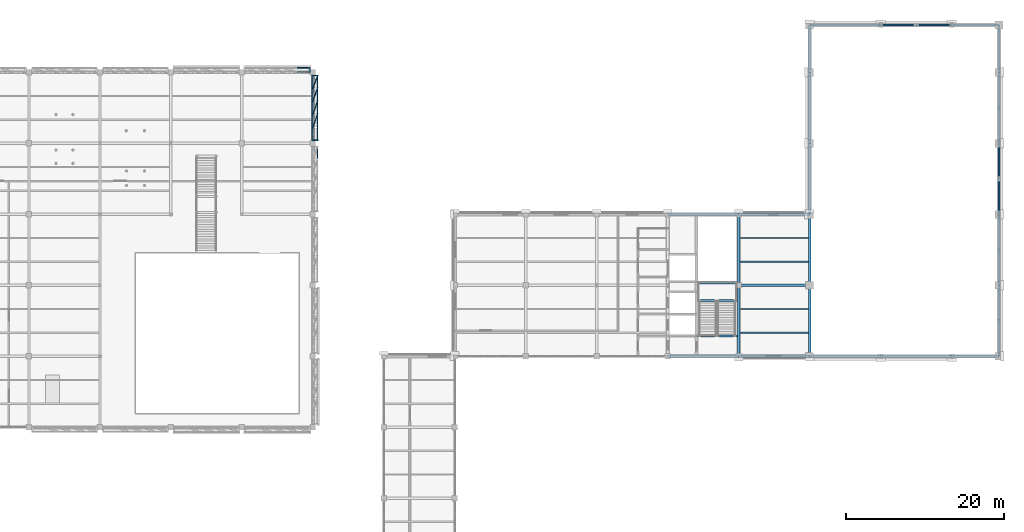
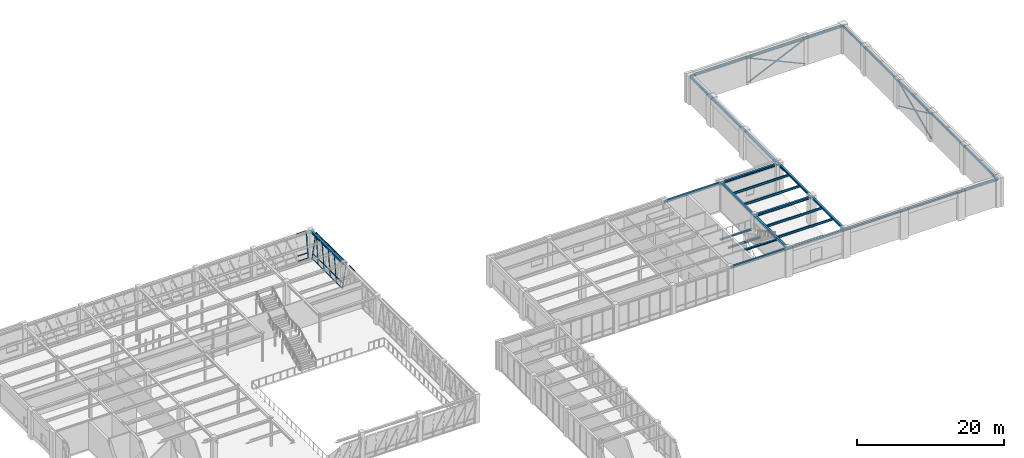
# One storey, part 66 of 92: 32 members, 31 beams, 3 elements without a shape of their own.
"""IFC4 building model written with IfcOpenShell, lengths in metres."""

from ifc_helpers import new_model, si_unit, direction, frame, origin, origin_2d, place, context, subcontext, project, spatial, hollow_rectangle, hollow_circle, i_section, extrude, material, material_profile, profile_set, type_object, element, aggregate, save


model = new_model("IFC4")

# Units and contexts
model_context = context("Model", 3, precision=1e-05, world=origin(), true_north=direction((0.0, 1.0)))
body_context = subcontext(model_context, "Body", "Model", "MODEL_VIEW")
ifc_project = project(units=[si_unit("LENGTHUNIT", "METRE"), si_unit("AREAUNIT", "SQUARE_METRE"), si_unit("VOLUMEUNIT", "CUBIC_METRE"), si_unit("PLANEANGLEUNIT", "RADIAN"), si_unit("MASSUNIT", "GRAM", prefix="KILO")], contexts=[model_context])

# Site, building, storey
site_placement = place(None, origin())
site = spatial("IfcSite", under=ifc_project, at=site_placement, CompositionType="ELEMENT")
building_placement = place(site_placement, origin())
building = spatial("IfcBuilding", under=site, at=building_placement, Name="Lykobir Media Centre", CompositionType="ELEMENT")
storey_placement = place(building_placement, frame((0.0, 0.0, 5.39990234375)))
storey = spatial("IfcBuildingStorey", under=building, at=storey_placement, Name="L01", CompositionType="ELEMENT", Elevation=5.39990234375)

# Beams
ifc_material_1 = material(Name="Steel S355", Category="steel")
ifc_material_profile_1 = material_profile(ifc_material_1, i_section(OverallWidth=0.300048828125, OverallDepth=0.35009765625, WebThickness=0.010009765625, FlangeThickness=0.017578125, at=origin_2d()), Name="HEA 360")
ifc_profile_set_1 = profile_set([ifc_material_profile_1], Name="Steel S355")
beam_type_1 = type_object("IfcBeamType", Name="BM-HEA360", PredefinedType="BEAM", material=ifc_profile_set_1)
for number, where, z_axis, x_axis, name in (
    (1, (135.0, 72.0, 4.385009765625), (0.0, 1.0, 0.0), (-1.0, 0.0, 0.0), "Beam BM-L01-1350-0720-1350-0810-978"),
    (2, (135.0, 81.0, 4.385009765625), (0.0, 1.0, 0.0), (-1.0, 0.0, 0.0), "Beam BM-L01-1350-0810-1350-0900-978"),
):
    element("IfcBeam", number, at=place(storey_placement, frame(where, z_axis=z_axis, x_axis=x_axis)), inside=storey, type_object=beam_type_1, Name=name, PredefinedType="BEAM", context=body_context, shape_type="SweptSolid", body=[
        extrude(i_section(OverallWidth=0.300048828125, OverallDepth=0.35009765625, WebThickness=0.010009765625, FlangeThickness=0.017578125, at=origin_2d()), origin(), (0.0, 0.0, 1.0), 9.0),
    ])
ifc_material_profile_2 = material_profile(ifc_material_1, i_section(OverallWidth=0.300048828125, OverallDepth=0.389892578125, WebThickness=0.010986328125, FlangeThickness=0.01904296875, at=origin_2d()), Name="HEA 400")
ifc_profile_set_2 = profile_set([ifc_material_profile_2], Name="Steel S355")
beam_type_2 = type_object("IfcBeamType", Name="BM-HEA400", PredefinedType="BEAM", material=ifc_profile_set_2)
beam_1_placement = place(storey_placement, frame((135.0, 81.0, 4.364990234375), z_axis=(1.0, 0.0, 0.0), x_axis=(0.0, 1.0, 0.0)))
element("IfcBeam", 3, at=beam_1_placement, inside=storey, type_object=beam_type_2, Name="Beam BM-L01-1350-0810-1440-0810-976", PredefinedType="BEAM", context=body_context, shape_type="SweptSolid", body=[
    extrude(i_section(OverallWidth=0.300048828125, OverallDepth=0.389892578125, WebThickness=0.010986328125, FlangeThickness=0.01904296875, at=origin_2d()), origin(), (0.0, 0.0, 1.0), 9.0),
])
ifc_material_profile_3 = material_profile(ifc_material_1, i_section(OverallWidth=0.260009765625, OverallDepth=0.25, WebThickness=0.007568359375, FlangeThickness=0.012451171875, at=origin_2d()), Name="HEA 260")
ifc_profile_set_3 = profile_set([ifc_material_profile_3], Name="Steel S355")
beam_type_3 = type_object("IfcBeamType", Name="BM-ST260", PredefinedType="BEAM", material=ifc_profile_set_3)
beam_2_placement = place(storey_placement, frame((129.72998046875, 81.280029296875, 2.080078125), z_axis=(1.0, 0.0, 0.0), x_axis=(0.0, 1.0, 0.0)))
element("IfcBeam", 4, at=beam_2_placement, inside=storey, type_object=beam_type_3, Name="ST-4 L01 half-landing support beam", PredefinedType="BEAM", context=body_context, shape_type="SweptSolid", body=[
    extrude(i_section(OverallWidth=0.260009765625, OverallDepth=0.25, WebThickness=0.007568359375, FlangeThickness=0.012451171875, at=origin_2d()), origin(), (0.0, 0.0, 1.0), 5.14013671875),
])
ifc_material_profile_4 = material_profile(ifc_material_1, i_section(OverallWidth=0.280029296875, OverallDepth=0.27001953125, WebThickness=0.008056640625, FlangeThickness=0.012939453125, at=origin_2d()), Name="HEA 280")
ifc_profile_set_4 = profile_set([ifc_material_profile_4], Name="Steel S355")
beam_type_4 = type_object("IfcBeamType", Name="BM-ST280", PredefinedType="BEAM", material=ifc_profile_set_4)
for number, where, z_axis, x_axis, name in (
    (5, (129.72998046875, 74.580078125, 4.425048828125), (1.0, 0.0, 0.0), (0.0, 1.0, 0.0), "ST-4 L01 arrival trimmer beam"),
    (6, (129.72998046875, 79.080078125, 2.070068359375), (1.0, 0.0, 0.0), (0.0, 1.0, 0.0), "ST-4 L01 mid-landing trimmer beam"),
):
    element("IfcBeam", number, at=place(storey_placement, frame(where, z_axis=z_axis, x_axis=x_axis)), inside=storey, type_object=beam_type_4, Name=name, PredefinedType="BEAM", context=body_context, shape_type="SweptSolid", body=[
        extrude(i_section(OverallWidth=0.280029296875, OverallDepth=0.27001953125, WebThickness=0.008056640625, FlangeThickness=0.012939453125, at=origin_2d()), origin(), (0.0, 0.0, 1.0), 5.14013671875),
    ])

# Members
ifc_material_profile_5 = material_profile(ifc_material_1, hollow_circle(Radius=0.096923828125, WallThickness=0.010009765625, at=origin_2d()), Name="CHS 193.7x10.0")
ifc_profile_set_5 = profile_set([ifc_material_profile_5], Name="Steel S355")
member_type_1 = type_object("IfcMemberType", Name="BR-CHS194-E", PredefinedType="BRACE", material=ifc_profile_set_5)
for number, where, z_axis, x_axis, name in (
    (7, (168.0, 99.0, 0.1201171875), (0.0, -0.909254600078, 0.416240401976), (1.0, 0.0, 0.0), "Diagonal brace MEM2-L01-1680-0990-0055-1680-0946-0546"),
    (8, (168.0, 94.3544921875, 2.24658203125), (0.0, -0.909254600078, 0.416240401976), (1.0, 0.0, 0.0), "Diagonal brace MEM2-L01-1680-0944-0076-1680-0900-0547"),
    (9, (162.0, 114.0, 0.1201171875), (-0.909254600078, 0.0, 0.416240401976), (0.0, -1.0, 0.0), "Diagonal brace MEM2-L01-1620-1140-0055-1576-1140-0567"),
    (10, (157.3544921875, 114.0, 2.24658203125), (-0.909254600078, 0.0, 0.416240401976), (0.0, -1.0, 0.0), "Diagonal brace MEM2-L01-1574-1140-0076-1530-1140-0568"),
):
    element("IfcMember", number, at=place(storey_placement, frame(where, z_axis=z_axis, x_axis=x_axis)), inside=storey, type_object=member_type_1, Name=name, PredefinedType="BRACE", context=body_context, shape_type="SweptSolid", body=[
        extrude(hollow_circle(Radius=0.096923828125, WallThickness=0.010009765625, at=origin_2d()), origin(), (0.0, 0.0, 1.0), 4.7890625),
    ])
ifc_material_profile_6 = material_profile(ifc_material_1, hollow_circle(Radius=0.109619140625, WallThickness=0.012451171875, at=origin_2d()), Name="CHS 219.1x12.5")
ifc_profile_set_6 = profile_set([ifc_material_profile_6], Name="Steel S355")
member_type_2 = type_object("IfcMemberType", Name="BR-CHS219-E", PredefinedType="BRACE", material=ifc_profile_set_6)
for number, where, z_axis, x_axis, name in (
    (11, (168.0, 90.0, 0.1201171875), (0.0, 0.909260911954, 0.416226613748), (-1.0, 0.0, 0.0), "Diagonal brace MEM2-L01-1680-0900-0055-1680-0990-0545"),
    (12, (153.0, 114.0, 0.1201171875), (0.909260911954, 0.0, 0.416226613748), (0.0, 1.0, 0.0), "Diagonal brace MEM2-L01-1530-1140-0055-1620-1140-0566"),
):
    element("IfcMember", number, at=place(storey_placement, frame(where, z_axis=z_axis, x_axis=x_axis)), inside=storey, type_object=member_type_2, Name=name, PredefinedType="BRACE", context=body_context, shape_type="SweptSolid", body=[
        extrude(hollow_circle(Radius=0.109619140625, WallThickness=0.012451171875, at=origin_2d()), origin(), (0.0, 0.0, 1.0), 9.898193359375),
    ])

# Curtain wall, members
ifc_material_2 = material(Name="Anodized Aluminium AW-6060", Category="aluminium")
curtain_wall_type = type_object("IfcCurtainWallType", Name="CW-V6-CR1", PredefinedType="NOTDEFINED", material=ifc_material_2)
curtain_wall_1_placement = place(storey_placement, origin())
curtain_wall_1 = element("IfcCurtainWall", 13, at=curtain_wall_1_placement, inside=storey, type_object=curtain_wall_type, Name="Curtain wall CW2-L01-0062", PredefinedType="NOTDEFINED")
ifc_material_profile_7 = material_profile(ifc_material_2, hollow_rectangle(XDim=0.074951171875, YDim=0.179931640625, WallThickness=0.00390625, at=origin_2d()), Name="ALU MULLION 75x180")
ifc_profile_set_7 = profile_set([ifc_material_profile_7], Name="Anodized Aluminium AW-6060")
member_type_3 = type_object("IfcMemberType", Name="CWM-180", PredefinedType="MULLION", material=ifc_profile_set_7)
member_1_placement = place(storey_placement, frame((81.0, 99.392578125, 0.0), z_axis=(0.142622832142, 0.0, 0.989777110137), x_axis=(0.0, -1.0, 0.0)))
member_1 = element("IfcMember", 14, at=member_1_placement, type_object=member_type_3, Name="CW2-L01-0062 mullion 1", PredefinedType="MULLION", context=body_context, shape_type="SweptSolid", body=[
    extrude(hollow_rectangle(XDim=0.074951171875, YDim=0.179931640625, WallThickness=0.00390625, at=origin_2d()), origin(), (0.0, 0.0, 1.0), 4.23828125),
])
member_2_placement = place(storey_placement, frame((81.0, 101.012939453125, 0.0), z_axis=(0.132237817099, 0.374602604658, 0.917706951217), x_axis=(0.942970475976, -0.332876375608, 0.0)))
member_2 = element("IfcMember", 15, at=member_2_placement, type_object=member_type_3, Name="CW2-L01-0062 mullion 2", PredefinedType="MULLION", context=body_context, shape_type="SweptSolid", body=[
    extrude(hollow_rectangle(XDim=0.074951171875, YDim=0.179931640625, WallThickness=0.00390625, at=origin_2d()), origin(), (0.0, 0.0, 1.0), 4.5712890625),
])
member_3_placement = place(storey_placement, frame((81.0, 102.6708984375, 0.0), z_axis=(0.132237817099, 0.374602604658, 0.917706951217), x_axis=(0.942970475976, -0.332876375608, 0.0)))
member_3 = element("IfcMember", 16, at=member_3_placement, type_object=member_type_3, Name="CW2-L01-0062 mullion 3", PredefinedType="MULLION", context=body_context, shape_type="SweptSolid", body=[
    extrude(hollow_rectangle(XDim=0.074951171875, YDim=0.179931640625, WallThickness=0.00390625, at=origin_2d()), origin(), (0.0, 0.0, 1.0), 4.5712890625),
])
member_4_placement = place(storey_placement, frame((81.0, 104.3291015625, 0.0), z_axis=(0.132237817099, 0.374602604658, 0.917706951217), x_axis=(0.942970475976, -0.332876375608, 0.0)))
member_4 = element("IfcMember", 17, at=member_4_placement, type_object=member_type_3, Name="CW2-L01-0062 mullion 4", PredefinedType="MULLION", context=body_context, shape_type="SweptSolid", body=[
    extrude(hollow_rectangle(XDim=0.074951171875, YDim=0.179931640625, WallThickness=0.00390625, at=origin_2d()), origin(), (0.0, 0.0, 1.0), 4.5712890625),
])
member_5_placement = place(storey_placement, frame((81.0, 105.987060546875, 0.0), z_axis=(0.133993559544, 0.34256027137, 0.929891491777), x_axis=(0.931290526487, -0.364277305463, 0.0)))
member_5 = element("IfcMember", 18, at=member_5_placement, type_object=member_type_3, Name="CW2-L01-0062 mullion 5", PredefinedType="MULLION", context=body_context, shape_type="SweptSolid", body=[
    extrude(hollow_rectangle(XDim=0.074951171875, YDim=0.179931640625, WallThickness=0.00390625, at=origin_2d()), origin(), (0.0, 0.0, 1.0), 4.511474609375),
])
member_6_placement = place(storey_placement, frame((81.0, 107.607421875, 0.0), z_axis=(0.142622832142, 0.0, 0.989777110137), x_axis=(0.0, -1.0, 0.0)))
member_6 = element("IfcMember", 19, at=member_6_placement, type_object=member_type_3, Name="CW2-L01-0062 mullion 6", PredefinedType="MULLION", context=body_context, shape_type="SweptSolid", body=[
    extrude(hollow_rectangle(XDim=0.074951171875, YDim=0.179931640625, WallThickness=0.00390625, at=origin_2d()), origin(), (0.0, 0.0, 1.0), 4.23828125),
])

# Curtain wall, member
curtain_wall_2_placement = place(storey_placement, origin())
curtain_wall_2 = element("IfcCurtainWall", 20, at=curtain_wall_2_placement, inside=storey, type_object=curtain_wall_type, Name="Curtain wall CW2-L01-0067", PredefinedType="NOTDEFINED")
member_7_placement = place(storey_placement, frame((80.607421875, 108.0, 0.0), z_axis=(0.0, 0.142622832142, 0.989777110137), x_axis=(0.0, 0.989777110137, -0.142622832142)))
member_7 = element("IfcMember", 21, at=member_7_placement, type_object=member_type_3, Name="CW2-L01-0067 mullion 1", PredefinedType="MULLION", context=body_context, shape_type="SweptSolid", body=[
    extrude(hollow_rectangle(XDim=0.074951171875, YDim=0.179931640625, WallThickness=0.00390625, at=origin_2d()), origin(), (0.0, 0.0, 1.0), 4.23828125),
])

curtain_wall_3_placement = place(storey_placement, origin())
curtain_wall_3 = element("IfcCurtainWall", 22, at=curtain_wall_3_placement, inside=storey, type_object=curtain_wall_type, Name="Curtain wall CW2-L01-0061", PredefinedType="NOTDEFINED")
ifc_material_profile_8 = material_profile(ifc_material_2, hollow_rectangle(XDim=0.074951171875, YDim=0.14990234375, WallThickness=0.00341796875, at=origin_2d()), Name="ALU TRANSOM 75x150")
ifc_profile_set_8 = profile_set([ifc_material_profile_8], Name="Anodized Aluminium AW-6060")
member_type_4 = type_object("IfcMemberType", Name="CWT-150", PredefinedType="USERDEFINED", material=ifc_profile_set_8)
member_8_placement = place(storey_placement, frame((81.59912109375, 97.0244140625, 4.157958984375), z_axis=(0.0, 1.0, 0.0), x_axis=(-0.989776230908, 0.0, 0.142628933706)))
member_8 = element("IfcMember", 23, at=member_8_placement, type_object=member_type_4, Name="CW2-L01-0061 transom 5.3", ObjectType="TRANSOM", PredefinedType="USERDEFINED", context=body_context, shape_type="SweptSolid", body=[
    extrude(hollow_rectangle(XDim=0.074951171875, YDim=0.14990234375, WallThickness=0.00341796875, at=origin_2d()), origin(), (0.0, 0.0, 1.0), 1.545654296875),
])
aggregate(curtain_wall_3, [member_8])

# Member
member_9_placement = place(storey_placement, frame((81.00537109375, 99.429931640625, 0.037109375), z_axis=(0.0, 1.0, 0.0), x_axis=(-0.989776230908, 0.0, 0.142628933706)))
member_9 = element("IfcMember", 24, at=member_9_placement, type_object=member_type_4, Name="CW2-L01-0062 transom 1.1", ObjectType="TRANSOM", PredefinedType="USERDEFINED", context=body_context, shape_type="SweptSolid", body=[
    extrude(hollow_rectangle(XDim=0.074951171875, YDim=0.14990234375, WallThickness=0.00341796875, at=origin_2d()), origin(), (0.0, 0.0, 1.0), 1.545654296875),
])

member_10_placement = place(storey_placement, frame((81.12109375, 99.429931640625, 0.84130859375), z_axis=(0.0, 1.0, 0.0), x_axis=(-0.989776230908, 0.0, 0.142628933706)))
member_10 = element("IfcMember", 25, at=member_10_placement, type_object=member_type_4, Name="CW2-L01-0062 transom 1.2", ObjectType="TRANSOM", PredefinedType="USERDEFINED", context=body_context, shape_type="SweptSolid", body=[
    extrude(hollow_rectangle(XDim=0.074951171875, YDim=0.14990234375, WallThickness=0.00341796875, at=origin_2d()), origin(), (0.0, 0.0, 1.0), 1.545654296875),
])

member_11_placement = place(storey_placement, frame((81.59912109375, 99.429931640625, 4.157958984375), z_axis=(0.0, 1.0, 0.0), x_axis=(-0.989776230908, 0.0, 0.142628933706)))
member_11 = element("IfcMember", 26, at=member_11_placement, type_object=member_type_4, Name="CW2-L01-0062 transom 1.3", ObjectType="TRANSOM", PredefinedType="USERDEFINED", context=body_context, shape_type="SweptSolid", body=[
    extrude(hollow_rectangle(XDim=0.074951171875, YDim=0.14990234375, WallThickness=0.00341796875, at=origin_2d()), origin(), (0.0, 0.0, 1.0), 1.545654296875),
])

member_12_placement = place(storey_placement, frame((81.00537109375, 101.050537109375, 0.037109375), z_axis=(0.0, 1.0, 0.0), x_axis=(-0.989776230908, 0.0, 0.142628933706)))
member_12 = element("IfcMember", 27, at=member_12_placement, type_object=member_type_4, Name="CW2-L01-0062 transom 2.1", ObjectType="TRANSOM", PredefinedType="USERDEFINED", context=body_context, shape_type="SweptSolid", body=[
    extrude(hollow_rectangle(XDim=0.074951171875, YDim=0.14990234375, WallThickness=0.00341796875, at=origin_2d()), origin(), (0.0, 0.0, 1.0), 1.5830078125),
])

member_13_placement = place(storey_placement, frame((81.12109375, 101.050537109375, 0.84130859375), z_axis=(0.0, 1.0, 0.0), x_axis=(-0.989776230908, 0.0, 0.142628933706)))
member_13 = element("IfcMember", 28, at=member_13_placement, type_object=member_type_4, Name="CW2-L01-0062 transom 2.2", ObjectType="TRANSOM", PredefinedType="USERDEFINED", context=body_context, shape_type="SweptSolid", body=[
    extrude(hollow_rectangle(XDim=0.074951171875, YDim=0.14990234375, WallThickness=0.00341796875, at=origin_2d()), origin(), (0.0, 0.0, 1.0), 1.5830078125),
])

member_14_placement = place(storey_placement, frame((81.59912109375, 101.050537109375, 4.157958984375), z_axis=(0.0, 1.0, 0.0), x_axis=(-0.989776230908, 0.0, 0.142628933706)))
member_14 = element("IfcMember", 29, at=member_14_placement, type_object=member_type_4, Name="CW2-L01-0062 transom 2.3", ObjectType="TRANSOM", PredefinedType="USERDEFINED", context=body_context, shape_type="SweptSolid", body=[
    extrude(hollow_rectangle(XDim=0.074951171875, YDim=0.14990234375, WallThickness=0.00341796875, at=origin_2d()), origin(), (0.0, 0.0, 1.0), 1.5830078125),
])

member_15_placement = place(storey_placement, frame((81.00537109375, 102.70849609375, 0.037109375), z_axis=(0.0, 1.0, 0.0), x_axis=(-0.989776230908, 0.0, 0.142628933706)))
member_15 = element("IfcMember", 30, at=member_15_placement, type_object=member_type_4, Name="CW2-L01-0062 transom 3.1", ObjectType="TRANSOM", PredefinedType="USERDEFINED", context=body_context, shape_type="SweptSolid", body=[
    extrude(hollow_rectangle(XDim=0.074951171875, YDim=0.14990234375, WallThickness=0.00341796875, at=origin_2d()), origin(), (0.0, 0.0, 1.0), 1.5830078125),
])

member_16_placement = place(storey_placement, frame((81.12109375, 102.70849609375, 0.84130859375), z_axis=(0.0, 1.0, 0.0), x_axis=(-0.989776230908, 0.0, 0.142628933706)))
member_16 = element("IfcMember", 31, at=member_16_placement, type_object=member_type_4, Name="CW2-L01-0062 transom 3.2", ObjectType="TRANSOM", PredefinedType="USERDEFINED", context=body_context, shape_type="SweptSolid", body=[
    extrude(hollow_rectangle(XDim=0.074951171875, YDim=0.14990234375, WallThickness=0.00341796875, at=origin_2d()), origin(), (0.0, 0.0, 1.0), 1.5830078125),
])

member_17_placement = place(storey_placement, frame((81.59912109375, 102.70849609375, 4.157958984375), z_axis=(0.0, 1.0, 0.0), x_axis=(-0.989776230908, 0.0, 0.142628933706)))
member_17 = element("IfcMember", 32, at=member_17_placement, type_object=member_type_4, Name="CW2-L01-0062 transom 3.3", ObjectType="TRANSOM", PredefinedType="USERDEFINED", context=body_context, shape_type="SweptSolid", body=[
    extrude(hollow_rectangle(XDim=0.074951171875, YDim=0.14990234375, WallThickness=0.00341796875, at=origin_2d()), origin(), (0.0, 0.0, 1.0), 1.5830078125),
])

member_18_placement = place(storey_placement, frame((81.00537109375, 104.366455078125, 0.037109375), z_axis=(0.0, 1.0, 0.0), x_axis=(-0.989776230908, 0.0, 0.142628933706)))
member_18 = element("IfcMember", 33, at=member_18_placement, type_object=member_type_4, Name="CW2-L01-0062 transom 4.1", ObjectType="TRANSOM", PredefinedType="USERDEFINED", context=body_context, shape_type="SweptSolid", body=[
    extrude(hollow_rectangle(XDim=0.074951171875, YDim=0.14990234375, WallThickness=0.00341796875, at=origin_2d()), origin(), (0.0, 0.0, 1.0), 1.5830078125),
])

member_19_placement = place(storey_placement, frame((81.12109375, 104.366455078125, 0.84130859375), z_axis=(0.0, 1.0, 0.0), x_axis=(-0.989776230908, 0.0, 0.142628933706)))
member_19 = element("IfcMember", 34, at=member_19_placement, type_object=member_type_4, Name="CW2-L01-0062 transom 4.2", ObjectType="TRANSOM", PredefinedType="USERDEFINED", context=body_context, shape_type="SweptSolid", body=[
    extrude(hollow_rectangle(XDim=0.074951171875, YDim=0.14990234375, WallThickness=0.00341796875, at=origin_2d()), origin(), (0.0, 0.0, 1.0), 1.5830078125),
])

member_20_placement = place(storey_placement, frame((81.59912109375, 104.366455078125, 4.157958984375), z_axis=(0.0, 1.0, 0.0), x_axis=(-0.989776230908, 0.0, 0.142628933706)))
member_20 = element("IfcMember", 35, at=member_20_placement, type_object=member_type_4, Name="CW2-L01-0062 transom 4.3", ObjectType="TRANSOM", PredefinedType="USERDEFINED", context=body_context, shape_type="SweptSolid", body=[
    extrude(hollow_rectangle(XDim=0.074951171875, YDim=0.14990234375, WallThickness=0.00341796875, at=origin_2d()), origin(), (0.0, 0.0, 1.0), 1.5830078125),
])

member_21_placement = place(storey_placement, frame((81.00537109375, 106.0244140625, 0.037109375), z_axis=(0.0, 1.0, 0.0), x_axis=(-0.989776230908, 0.0, 0.142628933706)))
member_21 = element("IfcMember", 36, at=member_21_placement, type_object=member_type_4, Name="CW2-L01-0062 transom 5.1", ObjectType="TRANSOM", PredefinedType="USERDEFINED", context=body_context, shape_type="SweptSolid", body=[
    extrude(hollow_rectangle(XDim=0.074951171875, YDim=0.14990234375, WallThickness=0.00341796875, at=origin_2d()), origin(), (0.0, 0.0, 1.0), 1.545654296875),
])

member_22_placement = place(storey_placement, frame((81.12109375, 106.0244140625, 0.84130859375), z_axis=(0.0, 1.0, 0.0), x_axis=(-0.989776230908, 0.0, 0.142628933706)))
member_22 = element("IfcMember", 37, at=member_22_placement, type_object=member_type_4, Name="CW2-L01-0062 transom 5.2", ObjectType="TRANSOM", PredefinedType="USERDEFINED", context=body_context, shape_type="SweptSolid", body=[
    extrude(hollow_rectangle(XDim=0.074951171875, YDim=0.14990234375, WallThickness=0.00341796875, at=origin_2d()), origin(), (0.0, 0.0, 1.0), 1.545654296875),
])

member_23_placement = place(storey_placement, frame((81.59912109375, 106.0244140625, 4.157958984375), z_axis=(0.0, 1.0, 0.0), x_axis=(-0.989776230908, 0.0, 0.142628933706)))
member_23 = element("IfcMember", 38, at=member_23_placement, type_object=member_type_4, Name="CW2-L01-0062 transom 5.3", ObjectType="TRANSOM", PredefinedType="USERDEFINED", context=body_context, shape_type="SweptSolid", body=[
    extrude(hollow_rectangle(XDim=0.074951171875, YDim=0.14990234375, WallThickness=0.00341796875, at=origin_2d()), origin(), (0.0, 0.0, 1.0), 1.545654296875),
])

aggregate(curtain_wall_1, [member_1, member_2, member_3, member_4, member_5, member_6, member_9, member_10, member_11, member_12, member_13, member_14, member_15, member_16, member_17, member_18, member_19, member_20, member_21, member_22, member_23])

member_24_placement = place(storey_placement, frame((80.570068359375, 108.00537109375, 0.037109375), z_axis=(-1.0, 0.0, 0.0), x_axis=(0.0, -0.989776230908, 0.142628933706)))
member_24 = element("IfcMember", 39, at=member_24_placement, type_object=member_type_4, Name="CW2-L01-0067 transom 1.1", ObjectType="TRANSOM", PredefinedType="USERDEFINED", context=body_context, shape_type="SweptSolid", body=[
    extrude(hollow_rectangle(XDim=0.074951171875, YDim=0.14990234375, WallThickness=0.00341796875, at=origin_2d()), origin(), (0.0, 0.0, 1.0), 1.545654296875),
])

member_25_placement = place(storey_placement, frame((80.570068359375, 108.12109375, 0.84130859375), z_axis=(-1.0, 0.0, 0.0), x_axis=(0.0, -0.989776230908, 0.142628933706)))
member_25 = element("IfcMember", 40, at=member_25_placement, type_object=member_type_4, Name="CW2-L01-0067 transom 1.2", ObjectType="TRANSOM", PredefinedType="USERDEFINED", context=body_context, shape_type="SweptSolid", body=[
    extrude(hollow_rectangle(XDim=0.074951171875, YDim=0.14990234375, WallThickness=0.00341796875, at=origin_2d()), origin(), (0.0, 0.0, 1.0), 1.545654296875),
])

member_26_placement = place(storey_placement, frame((80.570068359375, 108.59912109375, 4.157958984375), z_axis=(-1.0, 0.0, 0.0), x_axis=(0.0, -0.989776230908, 0.142628933706)))
member_26 = element("IfcMember", 41, at=member_26_placement, type_object=member_type_4, Name="CW2-L01-0067 transom 1.3", ObjectType="TRANSOM", PredefinedType="USERDEFINED", context=body_context, shape_type="SweptSolid", body=[
    extrude(hollow_rectangle(XDim=0.074951171875, YDim=0.14990234375, WallThickness=0.00341796875, at=origin_2d()), origin(), (0.0, 0.0, 1.0), 1.545654296875),
])

aggregate(curtain_wall_2, [member_7, member_24, member_25, member_26])

# Beams
ifc_material_profile_9 = material_profile(ifc_material_1, i_section(OverallWidth=0.169921875, OverallDepth=0.360107421875, WebThickness=0.008056640625, FlangeThickness=0.0126953125, at=origin_2d()), Name="IPE 360")
ifc_profile_set_9 = profile_set([ifc_material_profile_9], Name="Steel S355")
beam_type_5 = type_object("IfcBeamType", Name="JS-IPE360", PredefinedType="JOIST", material=ifc_profile_set_9)
for number, where, z_axis, x_axis, name in (
    (42, (135.14990234375, 75.0, 4.380126953125), (1.0, 0.0, 0.0), (0.0, 1.0, 0.0), "Beam BM-L01-1352-0750-1438-0750-978"),
    (43, (135.14990234375, 78.0, 4.380126953125), (1.0, 0.0, 0.0), (0.0, 1.0, 0.0), "Beam BM-L01-1352-0780-1438-0780-978"),
    (44, (135.14990234375, 84.0, 4.380126953125), (1.0, 0.0, 0.0), (0.0, 1.0, 0.0), "Beam BM-L01-1352-0840-1438-0840-978"),
    (45, (135.14990234375, 87.0, 4.380126953125), (1.0, 0.0, 0.0), (0.0, 1.0, 0.0), "Beam BM-L01-1352-0870-1438-0870-978"),
):
    element("IfcBeam", number, at=place(storey_placement, frame(where, z_axis=z_axis, x_axis=x_axis)), inside=storey, type_object=beam_type_5, Name=name, PredefinedType="JOIST", context=body_context, shape_type="SweptSolid", body=[
        extrude(i_section(OverallWidth=0.169921875, OverallDepth=0.360107421875, WebThickness=0.008056640625, FlangeThickness=0.0126953125, at=origin_2d()), origin(), (0.0, 0.0, 1.0), 8.7001953125),
    ])
ifc_material_profile_10 = material_profile(ifc_material_1, i_section(OverallWidth=0.300048828125, OverallDepth=0.35009765625, WebThickness=0.010009765625, FlangeThickness=0.017578125, at=origin_2d()), Name="HEA 360")
ifc_profile_set_10 = profile_set([ifc_material_profile_10], Name="Steel S355")
beam_type_6 = type_object("IfcBeamType", Name="SP-HEA360", PredefinedType="SPANDREL", material=ifc_profile_set_10)
for number, where, z_axis, x_axis, name in (
    (46, (126.0, 72.0, 4.385009765625), (1.0, 0.0, 0.0), (0.0, 1.0, 0.0), "Beam BM-L01-1260-0720-1350-0720-978"),
    (47, (135.0, 72.0, 4.385009765625), (1.0, 0.0, 0.0), (0.0, 1.0, 0.0), "Beam BM-L01-1350-0720-1440-0720-978"),
    (48, (144.0, 72.0, 4.375), (1.0, 0.0, 0.0), (0.0, 1.0, 0.0), "Beam BM-L01-1440-0720-1530-0720-978"),
    (49, (153.0, 72.0, 4.375), (1.0, 0.0, 0.0), (0.0, 1.0, 0.0), "Beam BM-L01-1530-0720-1620-0720-978"),
):
    element("IfcBeam", number, at=place(storey_placement, frame(where, z_axis=z_axis, x_axis=x_axis)), inside=storey, type_object=beam_type_6, Name=name, PredefinedType="SPANDREL", context=body_context, shape_type="SweptSolid", body=[
        extrude(i_section(OverallWidth=0.300048828125, OverallDepth=0.35009765625, WebThickness=0.010009765625, FlangeThickness=0.017578125, at=origin_2d()), origin(), (0.0, 0.0, 1.0), 9.0),
    ])
beam_3_placement = place(storey_placement, frame((162.0, 72.0, 4.375), z_axis=(1.0, 0.0, 0.0), x_axis=(0.0, 1.0, 0.0)))
element("IfcBeam", 50, at=beam_3_placement, inside=storey, type_object=beam_type_6, Name="Beam BM-L01-1620-0720-1680-0720-978", PredefinedType="SPANDREL", context=body_context, shape_type="SweptSolid", body=[
    extrude(i_section(OverallWidth=0.300048828125, OverallDepth=0.35009765625, WebThickness=0.010009765625, FlangeThickness=0.017578125, at=origin_2d()), origin(), (0.0, 0.0, 1.0), 6.0),
])
for number, where, z_axis, x_axis, name in (
    (51, (126.0, 90.0, 4.385009765625), (1.0, 0.0, 0.0), (0.0, 1.0, 0.0), "Beam BM-L01-1260-0900-1350-0900-978"),
    (52, (135.0, 90.0, 4.385009765625), (1.0, 0.0, 0.0), (0.0, 1.0, 0.0), "Beam BM-L01-1350-0900-1440-0900-978"),
    (53, (144.0, 72.0, 4.385009765625), (0.0, 1.0, 0.0), (-1.0, 0.0, 0.0), "Beam BM-L01-1440-0720-1440-0810-978"),
    (54, (144.0, 81.0, 4.385009765625), (0.0, 1.0, 0.0), (-1.0, 0.0, 0.0), "Beam BM-L01-1440-0810-1440-0900-978"),
    (55, (144.0, 90.0, 4.375), (0.0, 1.0, 0.0), (-1.0, 0.0, 0.0), "Beam BM-L01-1440-0900-1440-0990-978"),
    (56, (144.0, 99.0, 4.375), (0.0, 1.0, 0.0), (-1.0, 0.0, 0.0), "Beam BM-L01-1440-0990-1440-1080-978"),
):
    element("IfcBeam", number, at=place(storey_placement, frame(where, z_axis=z_axis, x_axis=x_axis)), inside=storey, type_object=beam_type_6, Name=name, PredefinedType="SPANDREL", context=body_context, shape_type="SweptSolid", body=[
        extrude(i_section(OverallWidth=0.300048828125, OverallDepth=0.35009765625, WebThickness=0.010009765625, FlangeThickness=0.017578125, at=origin_2d()), origin(), (0.0, 0.0, 1.0), 9.0),
    ])
beam_4_placement = place(storey_placement, frame((144.0, 108.0, 4.375), z_axis=(0.0, 1.0, 0.0), x_axis=(-1.0, 0.0, 0.0)))
element("IfcBeam", 57, at=beam_4_placement, inside=storey, type_object=beam_type_6, Name="Beam BM-L01-1440-1080-1440-1140-978", PredefinedType="SPANDREL", context=body_context, shape_type="SweptSolid", body=[
    extrude(i_section(OverallWidth=0.300048828125, OverallDepth=0.35009765625, WebThickness=0.010009765625, FlangeThickness=0.017578125, at=origin_2d()), origin(), (0.0, 0.0, 1.0), 6.0),
])
ifc_material_profile_11 = material_profile(ifc_material_1, i_section(OverallWidth=0.300048828125, OverallDepth=0.35009765625, WebThickness=0.010009765625, FlangeThickness=0.017578125, at=origin_2d()), Name="HEA 360")
ifc_profile_set_11 = profile_set([ifc_material_profile_11], Name="Steel S355")
beam_type_7 = type_object("IfcBeamType", Name="SP-HEA360-E", PredefinedType="SPANDREL", material=ifc_profile_set_11)
for number, where, z_axis, x_axis, name in (
    (58, (144.0, 114.0, 4.375), (1.0, 0.0, 0.0), (0.0, 1.0, 0.0), "Beam BM-L01-1440-1140-1530-1140-978"),
    (59, (153.0, 114.0, 4.375), (1.0, 0.0, 0.0), (0.0, 1.0, 0.0), "Beam BM-L01-1530-1140-1620-1140-978"),
):
    element("IfcBeam", number, at=place(storey_placement, frame(where, z_axis=z_axis, x_axis=x_axis)), inside=storey, type_object=beam_type_7, Name=name, PredefinedType="SPANDREL", context=body_context, shape_type="SweptSolid", body=[
        extrude(i_section(OverallWidth=0.300048828125, OverallDepth=0.35009765625, WebThickness=0.010009765625, FlangeThickness=0.017578125, at=origin_2d()), origin(), (0.0, 0.0, 1.0), 9.0),
    ])
beam_5_placement = place(storey_placement, frame((162.0, 114.0, 4.375), z_axis=(1.0, 0.0, 0.0), x_axis=(0.0, 1.0, 0.0)))
element("IfcBeam", 60, at=beam_5_placement, inside=storey, type_object=beam_type_7, Name="Beam BM-L01-1620-1140-1680-1140-978", PredefinedType="SPANDREL", context=body_context, shape_type="SweptSolid", body=[
    extrude(i_section(OverallWidth=0.300048828125, OverallDepth=0.35009765625, WebThickness=0.010009765625, FlangeThickness=0.017578125, at=origin_2d()), origin(), (0.0, 0.0, 1.0), 6.0),
])
for number, where, z_axis, x_axis, name in (
    (61, (81.0, 99.0, 4.385009765625), (0.0, 1.0, 0.0), (-1.0, 0.0, 0.0), "Beam BM-L01-0810-0990-0810-1080-978"),
    (62, (168.0, 72.0, 4.375), (0.0, 1.0, 0.0), (-1.0, 0.0, 0.0), "Beam BM-L01-1680-0720-1680-0810-978"),
    (63, (168.0, 81.0, 4.375), (0.0, 1.0, 0.0), (-1.0, 0.0, 0.0), "Beam BM-L01-1680-0810-1680-0900-978"),
    (64, (168.0, 90.0, 4.375), (0.0, 1.0, 0.0), (-1.0, 0.0, 0.0), "Beam BM-L01-1680-0900-1680-0990-978"),
    (65, (168.0, 99.0, 4.375), (0.0, 1.0, 0.0), (-1.0, 0.0, 0.0), "Beam BM-L01-1680-0990-1680-1080-978"),
):
    element("IfcBeam", number, at=place(storey_placement, frame(where, z_axis=z_axis, x_axis=x_axis)), inside=storey, type_object=beam_type_7, Name=name, PredefinedType="SPANDREL", context=body_context, shape_type="SweptSolid", body=[
        extrude(i_section(OverallWidth=0.300048828125, OverallDepth=0.35009765625, WebThickness=0.010009765625, FlangeThickness=0.017578125, at=origin_2d()), origin(), (0.0, 0.0, 1.0), 9.0),
    ])
beam_6_placement = place(storey_placement, frame((168.0, 108.0, 4.375), z_axis=(0.0, 1.0, 0.0), x_axis=(-1.0, 0.0, 0.0)))
element("IfcBeam", 66, at=beam_6_placement, inside=storey, type_object=beam_type_7, Name="Beam BM-L01-1680-1080-1680-1140-978", PredefinedType="SPANDREL", context=body_context, shape_type="SweptSolid", body=[
    extrude(i_section(OverallWidth=0.300048828125, OverallDepth=0.35009765625, WebThickness=0.010009765625, FlangeThickness=0.017578125, at=origin_2d()), origin(), (0.0, 0.0, 1.0), 6.0),
])

save(model, "model.ifc")
